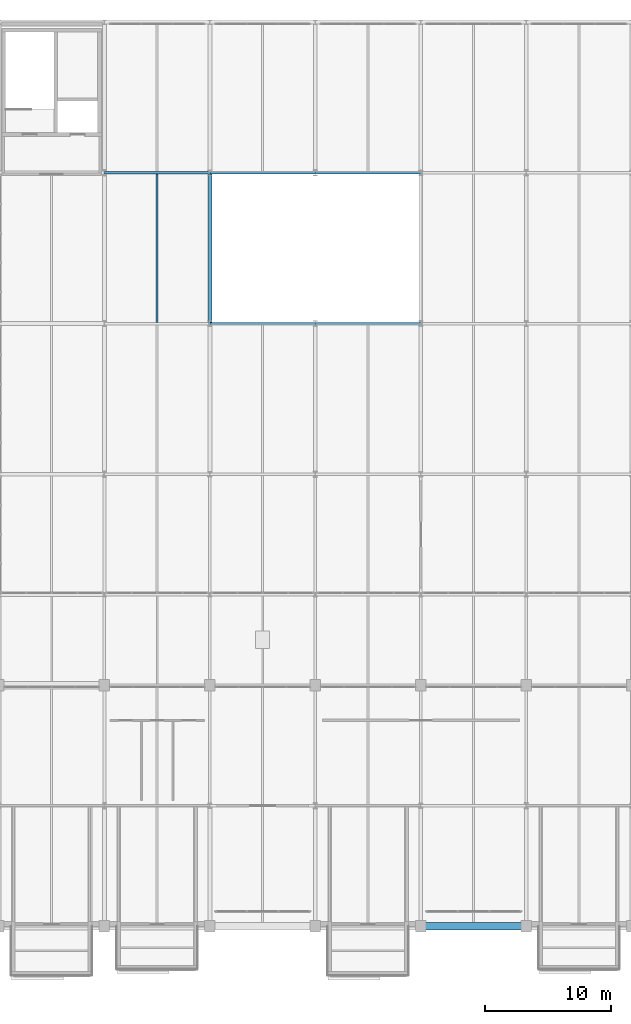
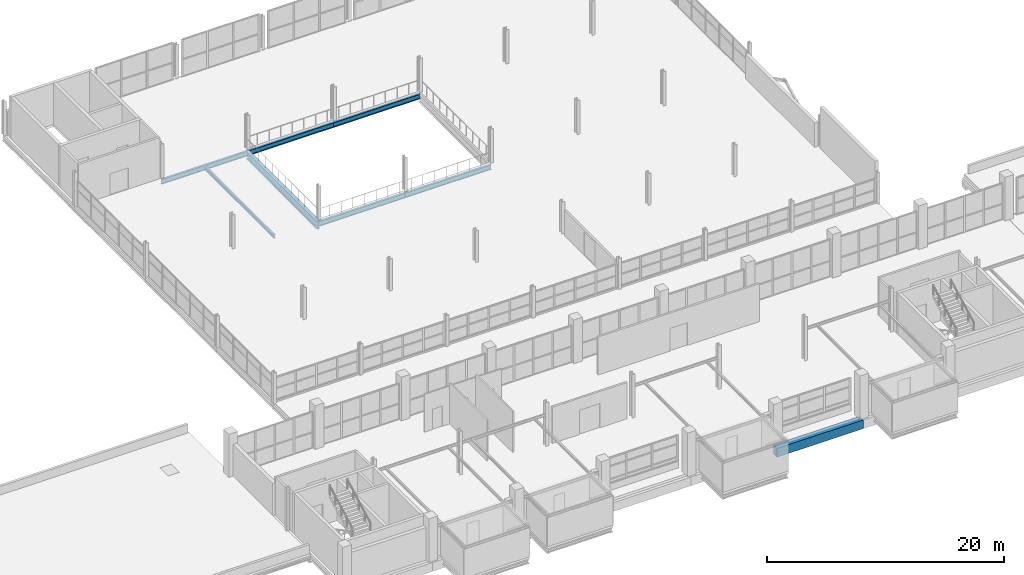
# One storey, part 32 of 103: 8 beams.
"""IFC4 building model written with IfcOpenShell, lengths in metres."""

from ifc_helpers import new_model, si_unit, direction, frame, origin, origin_2d, place, context, subcontext, project, spatial, rectangle, i_section, extrude, material, material_profile, profile_set, type_object, element, save


model = new_model("IFC4")

# Units and contexts
model_context = context("Model", 3, precision=1e-05, world=origin(), true_north=direction((0.0, 1.0)))
body_context = subcontext(model_context, "Body", "Model", "MODEL_VIEW")
ifc_project = project(units=[si_unit("LENGTHUNIT", "METRE"), si_unit("AREAUNIT", "SQUARE_METRE"), si_unit("VOLUMEUNIT", "CUBIC_METRE"), si_unit("PLANEANGLEUNIT", "RADIAN"), si_unit("MASSUNIT", "GRAM", prefix="KILO")], contexts=[model_context])

# Site, building, storey
site_placement = place(None, origin())
site = spatial("IfcSite", under=ifc_project, at=site_placement, CompositionType="ELEMENT")
building_placement = place(site_placement, origin())
building = spatial("IfcBuilding", under=site, at=building_placement, Name="Veltarok Museum of Natural Sciences", CompositionType="ELEMENT")
storey_placement = place(building_placement, frame((0.0, 0.0, 21.89990234375)))
storey = spatial("IfcBuildingStorey", under=building, at=storey_placement, Name="L04", CompositionType="ELEMENT", Elevation=21.89990234375)

# Beams
ifc_material_1 = material(Name="Steel S355J2", Category="steel")
ifc_material_profile_1 = material_profile(ifc_material_1, i_section(OverallWidth=0.300048828125, OverallDepth=0.800048828125, WebThickness=0.017578125, FlangeThickness=0.032958984375, FilletRadius=0.030029296875, at=origin_2d()), Name="HEB 800")
ifc_profile_set_1 = profile_set([ifc_material_profile_1], Name="Steel S355J2")
beam_type_1 = type_object("IfcBeamType", Name="Atrium Edge Transfer Girder HEB 800", PredefinedType="BEAM", material=ifc_profile_set_1)
beam_1_placement = place(storey_placement, frame((56.800048828125, 48.0, -0.64990234375), z_axis=(0.0, 1.0, 0.0), x_axis=(-1.0, 0.0, 0.0)))
element("IfcBeam", 1, at=beam_1_placement, inside=storey, type_object=beam_type_1, Name="Beam BM-G06 L04 7/F-G", PredefinedType="BEAM", context=body_context, shape_type="SweptSolid", body=[
    extrude(i_section(OverallWidth=0.300048828125, OverallDepth=0.800048828125, WebThickness=0.017578125, FlangeThickness=0.032958984375, FilletRadius=0.030029296875, at=origin_2d()), origin(), (0.0, 0.0, 1.0), 12.0),
])
ifc_material_2 = material(Name="Concrete C40/50", Category="concrete")
ifc_material_profile_2 = material_profile(ifc_material_2, rectangle(XDim=0.60009765625, YDim=0.89990234375, at=origin_2d()), Name="RC 600x900")
ifc_profile_set_2 = profile_set([ifc_material_profile_2], Name="Concrete C40/50")
beam_type_2 = type_object("IfcBeamType", Name="Exposed Cabinet Perimeter Spandrel RC 600x900", PredefinedType="SPANDREL", material=ifc_profile_set_2)
beam_2_placement = place(storey_placement, frame((73.60009765625, 0.0, -0.699951171875), z_axis=(1.0, 0.0, 0.0), x_axis=(0.0, 1.0, 0.0)))
element("IfcBeam", 2, at=beam_2_placement, inside=storey, type_object=beam_type_2, Name="Beam BM-SP01 L04 9-10/A", PredefinedType="SPANDREL", context=body_context, shape_type="SweptSolid", body=[
    extrude(rectangle(XDim=0.60009765625, YDim=0.89990234375, at=origin_2d()), origin(), (0.0, 0.0, 1.0), 8.39990234375),
])
ifc_material_profile_3 = material_profile(ifc_material_1, i_section(OverallWidth=0.169921875, OverallDepth=0.360107421875, WebThickness=0.008056640625, FlangeThickness=0.0126953125, FilletRadius=0.01806640625, at=origin_2d()), Name="IPE 360")
ifc_profile_set_3 = profile_set([ifc_material_profile_3], Name="Steel S355J2")
beam_type_3 = type_object("IfcBeamType", Name="Long-Bay Composite Joist IPE 360", PredefinedType="JOIST", material=ifc_profile_set_3)
beam_3_placement = place(storey_placement, frame((52.60009765625, 48.097900390625, -0.429931640625), z_axis=(0.0, 1.0, 0.0), x_axis=(-1.0, 0.0, 0.0)))
element("IfcBeam", 3, at=beam_3_placement, inside=storey, type_object=beam_type_3, Name="Secondary Joist BM-J01 L04 6-7/F-G.1", PredefinedType="JOIST", context=body_context, shape_type="SweptSolid", body=[
    extrude(i_section(OverallWidth=0.169921875, OverallDepth=0.360107421875, WebThickness=0.008056640625, FlangeThickness=0.0126953125, FilletRadius=0.01806640625, at=origin_2d()), origin(), (0.0, 0.0, 1.0), 11.80419921875),
])
ifc_material_profile_4 = material_profile(ifc_material_1, i_section(OverallWidth=0.199951171875, OverallDepth=0.5, WebThickness=0.01025390625, FlangeThickness=0.01611328125, FilletRadius=0.02099609375, at=origin_2d()), Name="IPE 500")
ifc_profile_set_4 = profile_set([ifc_material_profile_4], Name="Steel S355J2")
beam_type_4 = type_object("IfcBeamType", Name="Standard Gallery Girder IPE 500", PredefinedType="BEAM", material=ifc_profile_set_4)
beam_4_placement = place(storey_placement, frame((56.800048828125, 48.0, -0.5), z_axis=(1.0, 0.0, 0.0), x_axis=(0.0, 1.0, 0.0)))
element("IfcBeam", 4, at=beam_4_placement, inside=storey, type_object=beam_type_4, Name="Beam BM-G04 L04 7-8/F", PredefinedType="BEAM", context=body_context, shape_type="SweptSolid", body=[
    extrude(i_section(OverallWidth=0.199951171875, OverallDepth=0.5, WebThickness=0.01025390625, FlangeThickness=0.01611328125, FilletRadius=0.02099609375, at=origin_2d()), origin(), (0.0, 0.0, 1.0), 8.39990234375),
])
for number, where, z_axis, x_axis, name in (
    (5, (65.199951171875, 48.0, -0.5), (1.0, 0.0, 0.0), (0.0, 1.0, 0.0), "Beam BM-G04 L04 8-9/F"),
    (6, (48.39990234375, 60.0, -0.5), (1.0, 0.0, 0.0), (0.0, 1.0, 0.0), "Beam BM-G04 L04 6-7/G"),
):
    element("IfcBeam", number, at=place(storey_placement, frame(where, z_axis=z_axis, x_axis=x_axis)), inside=storey, type_object=beam_type_4, Name=name, PredefinedType="BEAM", context=body_context, shape_type="SweptSolid", body=[
        extrude(i_section(OverallWidth=0.199951171875, OverallDepth=0.5, WebThickness=0.01025390625, FlangeThickness=0.01611328125, FilletRadius=0.02099609375, at=origin_2d()), origin(), (0.0, 0.0, 1.0), 8.400146484375),
    ])
beam_5_placement = place(storey_placement, frame((56.800048828125, 60.0, -0.5), z_axis=(1.0, 0.0, 0.0), x_axis=(0.0, 1.0, 0.0)))
element("IfcBeam", 7, at=beam_5_placement, inside=storey, type_object=beam_type_4, Name="Beam BM-G04 L04 7-8/G", PredefinedType="BEAM", context=body_context, shape_type="SweptSolid", body=[
    extrude(i_section(OverallWidth=0.199951171875, OverallDepth=0.5, WebThickness=0.01025390625, FlangeThickness=0.01611328125, FilletRadius=0.02099609375, at=origin_2d()), origin(), (0.0, 0.0, 1.0), 8.39990234375),
])
beam_6_placement = place(storey_placement, frame((65.199951171875, 60.0, -0.5), z_axis=(1.0, 0.0, 0.0), x_axis=(0.0, 1.0, 0.0)))
element("IfcBeam", 8, at=beam_6_placement, inside=storey, type_object=beam_type_4, Name="Beam BM-G04 L04 8-9/G", PredefinedType="BEAM", context=body_context, shape_type="SweptSolid", body=[
    extrude(i_section(OverallWidth=0.199951171875, OverallDepth=0.5, WebThickness=0.01025390625, FlangeThickness=0.01611328125, FilletRadius=0.02099609375, at=origin_2d()), origin(), (0.0, 0.0, 1.0), 8.400146484375),
])

save(model, "model.ifc")
